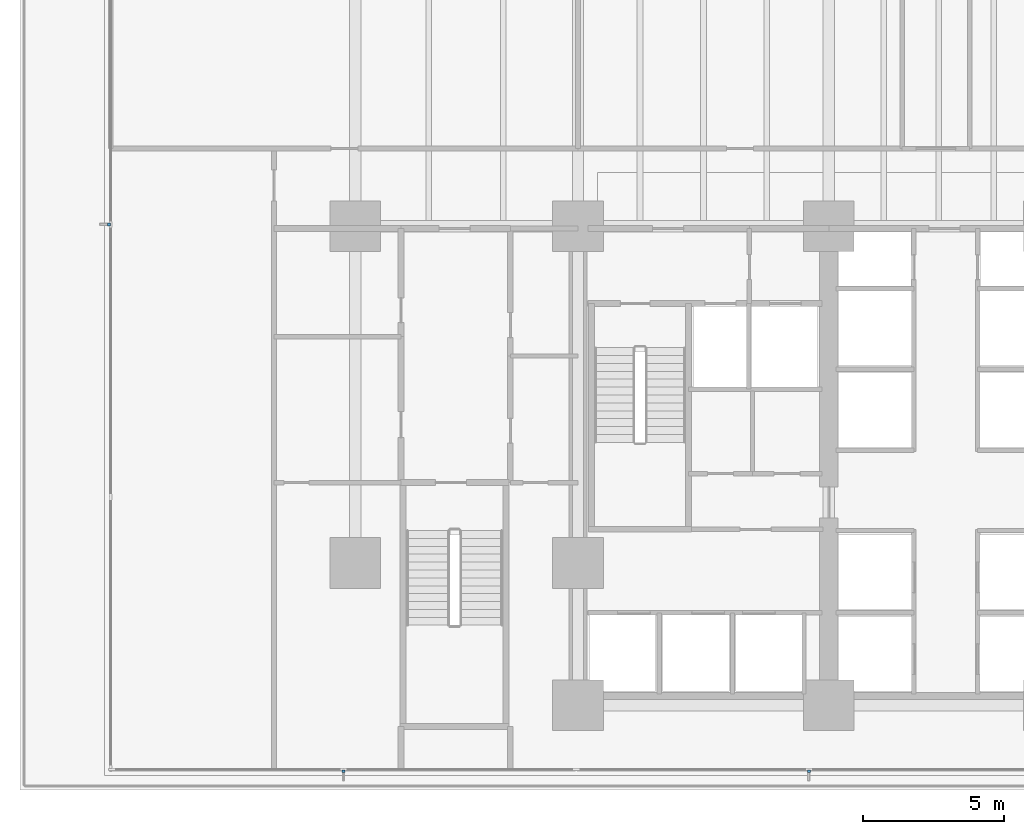
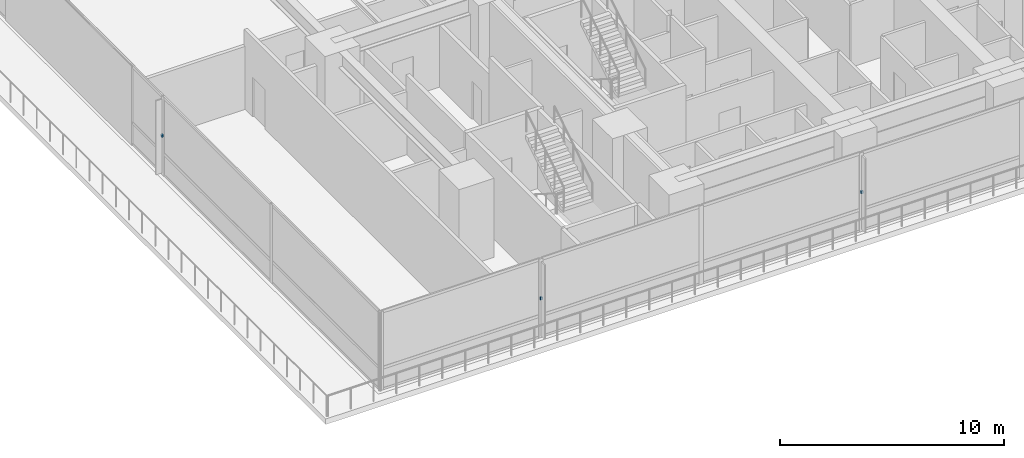
# One storey, part 14 of 24: 3 discrete accessories.
"""IFC4 building model written with IfcOpenShell, lengths in metres."""

from ifc_helpers import new_model, si_unit, direction, frame, origin, place, context, subcontext, project, spatial, polyline, outline, extrude, material, type_object, element, save


model = new_model("IFC4")

# Units and contexts
model_context = context("Model", 3, precision=1e-05, world=origin(), true_north=direction((0.0, 1.0)))
body_context = subcontext(model_context, "Body", "Model", "MODEL_VIEW")
ifc_project = project(units=[si_unit("LENGTHUNIT", "METRE"), si_unit("AREAUNIT", "SQUARE_METRE"), si_unit("VOLUMEUNIT", "CUBIC_METRE"), si_unit("PLANEANGLEUNIT", "RADIAN"), si_unit("MASSUNIT", "GRAM", prefix="KILO")], contexts=[model_context])

# Site, building, storey
site_placement = place(None, origin())
site = spatial("IfcSite", under=ifc_project, at=site_placement, CompositionType="ELEMENT")
building_placement = place(site_placement, origin())
building = spatial("IfcBuilding", under=site, at=building_placement, Name="Qalmaran Belvedere Hotel", CompositionType="ELEMENT")
storey_placement = place(building_placement, frame((0.0, 0.0, 14.60009765625)))
storey = spatial("IfcBuildingStorey", under=building, at=storey_placement, Name="L03", CompositionType="ELEMENT", Elevation=14.60009765625)

# Discrete accessories
ifc_material = material(Name="Stainless Steel 1.4401", Category="steel")
discrete_accessory_type = type_object("IfcDiscreteAccessoryType", Name="BRK-FIN-SS316", PredefinedType="BRACKET", material=ifc_material)
discrete_accessory_1_placement = place(storey_placement, frame((0.0, 0.0, 2.099853515625)))
element("IfcDiscreteAccessory", 1, at=discrete_accessory_1_placement, inside=storey, type_object=discrete_accessory_type, Name="L03 Fin Bracket 1", PredefinedType="BRACKET", context=body_context, shape_type="SweptSolid", body=[
    extrude(outline(polyline([(11.922607421875, 1.205078125), (11.922607421875, 1.107421875), (12.032470703125, 1.107421875), (12.032470703125, 1.205078125), (11.922607421875, 1.205078125)])), origin(), (0.0, 0.0, 1.0), 0.14013671875),
])
discrete_accessory_2_placement = place(storey_placement, frame((0.0, 0.0, 2.099853515625)))
element("IfcDiscreteAccessory", 2, at=discrete_accessory_2_placement, inside=storey, type_object=discrete_accessory_type, Name="L03 Fin Bracket 3", PredefinedType="BRACKET", context=body_context, shape_type="SweptSolid", body=[
    extrude(outline(polyline([(28.4375, 1.205078125), (28.4375, 1.107421875), (28.547607421875, 1.107421875), (28.547607421875, 1.205078125), (28.4375, 1.205078125)])), origin(), (0.0, 0.0, 1.0), 0.14013671875),
])
discrete_accessory_3_placement = place(storey_placement, frame((0.0, 0.0, 2.099853515625)))
element("IfcDiscreteAccessory", 3, at=discrete_accessory_3_placement, inside=storey, type_object=discrete_accessory_type, Name="L03 Fin Bracket 3", PredefinedType="BRACKET", context=body_context, shape_type="SweptSolid", body=[
    extrude(outline(polyline([(3.705078125, 20.618896484375), (3.607421875, 20.618896484375), (3.607421875, 20.509033203125), (3.705078125, 20.509033203125), (3.705078125, 20.618896484375)])), origin(), (0.0, 0.0, 1.0), 0.14013671875),
])

save(model, "model.ifc")
